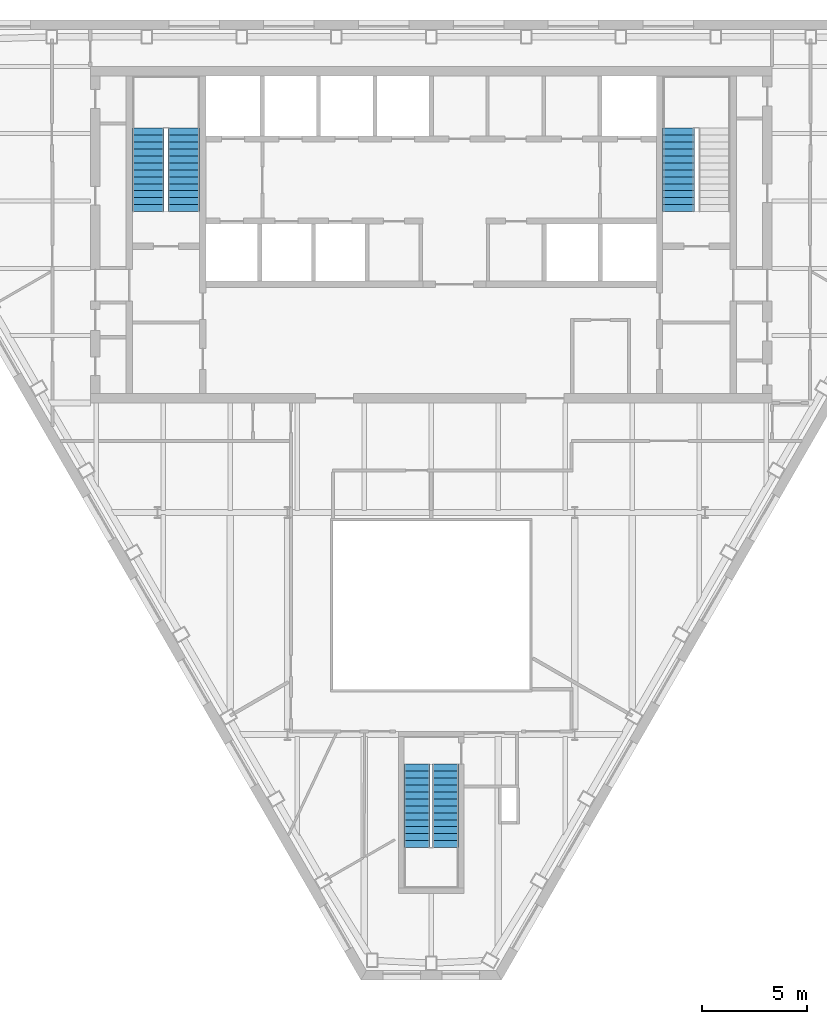
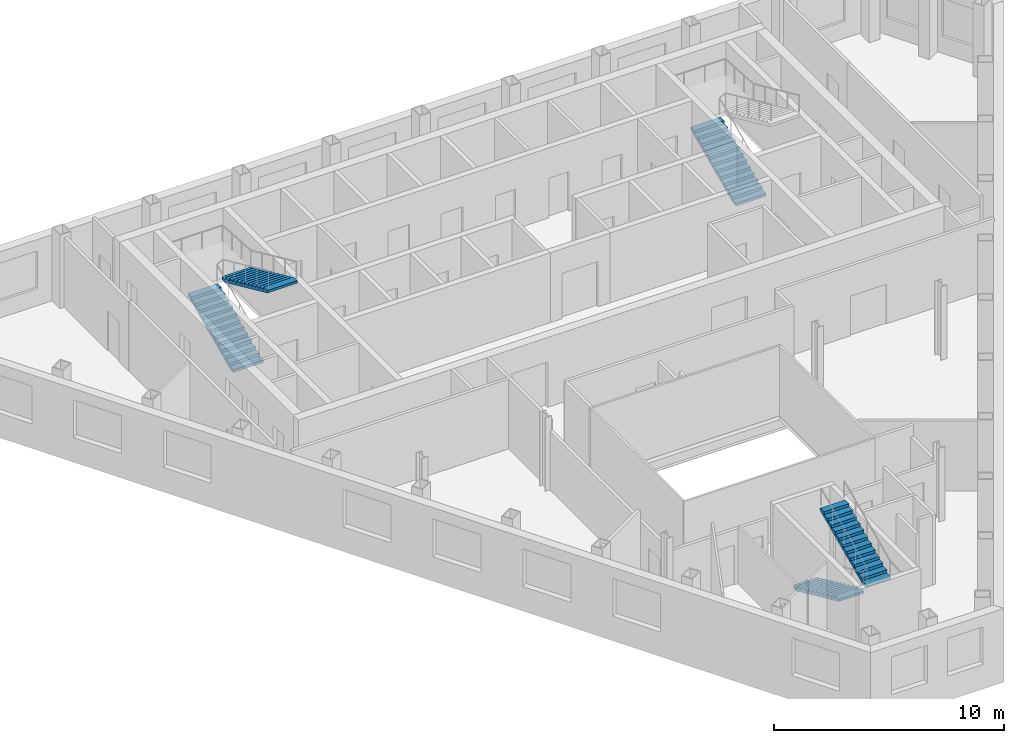
# One storey, part 8 of 10: 5 stair flights, 3 elements without a shape of their own.
"""IFC4 building model written with IfcOpenShell, lengths in metres."""

from ifc_helpers import new_model, si_unit, direction, frame, origin, place, context, subcontext, project, spatial, polygons, material, type_object, element, aggregate, save


model = new_model("IFC4")

# Units and contexts
model_context = context("Model", 3, precision=1e-05, world=origin(), true_north=direction((0.0, 1.0)))
body_context = subcontext(model_context, "Body", "Model", "MODEL_VIEW")
ifc_project = project(units=[si_unit("LENGTHUNIT", "METRE"), si_unit("AREAUNIT", "SQUARE_METRE"), si_unit("VOLUMEUNIT", "CUBIC_METRE"), si_unit("PLANEANGLEUNIT", "RADIAN"), si_unit("MASSUNIT", "GRAM", prefix="KILO")], contexts=[model_context])

# Site, building, storey
site_placement = place(None, origin())
site = spatial("IfcSite", under=ifc_project, at=site_placement, CompositionType="ELEMENT")
building_placement = place(site_placement, origin())
building = spatial("IfcBuilding", under=site, at=building_placement, Name="Njiva Tower", CompositionType="ELEMENT")
storey_placement = place(building_placement, frame((0.0, 0.0, 231.6)))
storey = spatial("IfcBuildingStorey", under=building, at=storey_placement, Name="L52", CompositionType="ELEMENT", Elevation=231.6)

# Stair, stair flights
ifc_material = material(Name="Concrete C40/50", Category="concrete")
stair_type_1 = type_object("IfcStairType", Name="ST1 Exit stair 1250", PredefinedType="HALF_TURN_STAIR", material=ifc_material)
stair_1_placement = place(storey_placement, origin())
stair_1 = element("IfcStair", 1, at=stair_1_placement, inside=storey, type_object=stair_type_1, Name="Stair C", PredefinedType="HALF_TURN_STAIR")
stair_flight_type_1 = type_object("IfcStairFlightType", Name="FL1 Stair flight 1250", PredefinedType="STRAIGHT", material=ifc_material)
stair_flight_1_placement = place(storey_placement, frame((-0.675, -15.16, 0.0), z_axis=(0.0, 0.0, 1.0), x_axis=(0.0, -1.0, 0.0)))
stair_flight_1 = element("IfcStairFlight", 2, at=stair_flight_1_placement, type_object=stair_flight_type_1, Name="ST-C flight 1", NumberOfRisers=13, NumberOfTreads=12, PredefinedType="STRAIGHT", RiserHeight=0.15, TreadLength=0.33, context=body_context, shape_type="Tessellation", body=[
    polygons([(0.0, 0.625, 0.0), (0.0, 0.3125, 0.0), (0.0, 0.0, 0.0), (0.0, -0.3125, 0.0), (0.0, -0.625, 0.0), (0.0, 0.625, 0.15), (0.0, 0.3125, 0.15), (0.0, 0.0, 0.15), (0.0, -0.3125, 0.15), (0.0, -0.625, 0.15), (0.33, 0.625, 0.15), (0.33, 0.3125, 0.15), (0.33, 0.0, 0.15), (0.33, -0.3125, 0.15), (0.33, -0.625, 0.15), (0.33, 0.625, 0.3), (0.33, 0.3125, 0.3), (0.33, 0.0, 0.3), (0.33, -0.3125, 0.3), (0.33, -0.625, 0.3), (0.66, 0.625, 0.3), (0.66, 0.3125, 0.3), (0.66, 0.0, 0.3), (0.66, -0.3125, 0.3), (0.66, -0.625, 0.3), (0.66, 0.625, 0.45), (0.66, 0.3125, 0.45), (0.66, 0.0, 0.45), (0.66, -0.3125, 0.45), (0.66, -0.625, 0.45), (0.99, 0.625, 0.45), (0.99, 0.3125, 0.45), (0.99, 0.0, 0.45), (0.99, -0.3125, 0.45), (0.99, -0.625, 0.45), (0.99, 0.625, 0.6), (0.99, 0.3125, 0.6), (0.99, 0.0, 0.6), (0.99, -0.3125, 0.6), (0.99, -0.625, 0.6), (1.32, 0.625, 0.6), (1.32, 0.3125, 0.6), (1.32, 0.0, 0.6), (1.32, -0.3125, 0.6), (1.32, -0.625, 0.6), (1.32, 0.625, 0.75), (1.32, 0.3125, 0.75), (1.32, 0.0, 0.75), (1.32, -0.3125, 0.75), (1.32, -0.625, 0.75), (1.65, 0.625, 0.75), (1.65, 0.3125, 0.75), (1.65, 0.0, 0.75), (1.65, -0.3125, 0.75), (1.65, -0.625, 0.75), (1.65, 0.625, 0.9), (1.65, 0.3125, 0.9), (1.65, 0.0, 0.9), (1.65, -0.3125, 0.9), (1.65, -0.625, 0.9), (1.98, 0.625, 0.9), (1.98, 0.3125, 0.9), (1.98, 0.0, 0.9), (1.98, -0.3125, 0.9), (1.98, -0.625, 0.9), (1.98, 0.625, 1.05), (1.98, 0.3125, 1.05), (1.98, 0.0, 1.05), (1.98, -0.3125, 1.05), (1.98, -0.625, 1.05), (2.31, 0.625, 1.05), (2.31, 0.3125, 1.05), (2.31, 0.0, 1.05), (2.31, -0.3125, 1.05), (2.31, -0.625, 1.05), (2.31, 0.625, 1.2), (2.31, 0.3125, 1.2), (2.31, 0.0, 1.2), (2.31, -0.3125, 1.2), (2.31, -0.625, 1.2), (2.64, 0.625, 1.2), (2.64, 0.3125, 1.2), (2.64, 0.0, 1.2), (2.64, -0.3125, 1.2), (2.64, -0.625, 1.2), (2.64, 0.625, 1.35), (2.64, 0.3125, 1.35), (2.64, 0.0, 1.35), (2.64, -0.3125, 1.35), (2.64, -0.625, 1.35), (2.97, 0.625, 1.35), (2.97, 0.3125, 1.35), (2.97, 0.0, 1.35), (2.97, -0.3125, 1.35), (2.97, -0.625, 1.35), (2.97, 0.625, 1.5), (2.97, 0.3125, 1.5), (2.97, 0.0, 1.5), (2.97, -0.3125, 1.5), (2.97, -0.625, 1.5), (3.3, 0.625, 1.5), (3.3, 0.3125, 1.5), (3.3, 0.0, 1.5), (3.3, -0.3125, 1.5), (3.3, -0.625, 1.5), (3.3, 0.625, 1.65), (3.3, 0.3125, 1.65), (3.3, 0.0, 1.65), (3.3, -0.3125, 1.65), (3.3, -0.625, 1.65), (3.63, 0.625, 1.65), (3.63, 0.3125, 1.65), (3.63, 0.0, 1.65), (3.63, -0.3125, 1.65), (3.63, -0.625, 1.65), (3.63, 0.625, 1.8), (3.63, 0.3125, 1.8), (3.63, 0.0, 1.8), (3.63, -0.3125, 1.8), (3.63, -0.625, 1.8), (3.96, 0.625, 1.8), (3.96, 0.3125, 1.8), (3.96, 0.0, 1.8), (3.96, -0.3125, 1.8), (3.96, -0.625, 1.8), (3.96, 0.625, 1.6682), (3.96, 0.3125, 1.6682), (3.96, 0.0, 1.6682), (3.96, -0.3125, 1.6682), (3.96, -0.625, 1.6682), (0.29, 0.625, 0.0), (0.29, 0.3125, 0.0), (0.29, 0.0, 0.0), (0.29, -0.3125, 0.0), (0.29, -0.625, 0.0)], [[[1, 6, 11, 16, 21, 26, 31, 36, 41, 46, 51, 56, 61, 66, 71, 76, 81, 86, 91, 96, 101, 106, 111, 116, 121, 126, 131]], [[135, 130, 125, 120, 115, 110, 105, 100, 95, 90, 85, 80, 75, 70, 65, 60, 55, 50, 45, 40, 35, 30, 25, 20, 15, 10, 5]], [[6, 1, 2, 7]], [[7, 2, 3, 8]], [[8, 3, 4, 9]], [[9, 4, 5, 10]], [[11, 6, 7, 12]], [[12, 7, 8, 13]], [[13, 8, 9, 14]], [[14, 9, 10, 15]], [[16, 11, 12, 17]], [[17, 12, 13, 18]], [[18, 13, 14, 19]], [[19, 14, 15, 20]], [[21, 16, 17, 22]], [[22, 17, 18, 23]], [[23, 18, 19, 24]], [[24, 19, 20, 25]], [[26, 21, 22, 27]], [[27, 22, 23, 28]], [[28, 23, 24, 29]], [[29, 24, 25, 30]], [[31, 26, 27, 32]], [[32, 27, 28, 33]], [[33, 28, 29, 34]], [[34, 29, 30, 35]], [[36, 31, 32, 37]], [[37, 32, 33, 38]], [[38, 33, 34, 39]], [[39, 34, 35, 40]], [[41, 36, 37, 42]], [[42, 37, 38, 43]], [[43, 38, 39, 44]], [[44, 39, 40, 45]], [[46, 41, 42, 47]], [[47, 42, 43, 48]], [[48, 43, 44, 49]], [[49, 44, 45, 50]], [[51, 46, 47, 52]], [[52, 47, 48, 53]], [[53, 48, 49, 54]], [[54, 49, 50, 55]], [[56, 51, 52, 57]], [[57, 52, 53, 58]], [[58, 53, 54, 59]], [[59, 54, 55, 60]], [[61, 56, 57, 62]], [[62, 57, 58, 63]], [[63, 58, 59, 64]], [[64, 59, 60, 65]], [[66, 61, 62, 67]], [[67, 62, 63, 68]], [[68, 63, 64, 69]], [[69, 64, 65, 70]], [[71, 66, 67, 72]], [[72, 67, 68, 73]], [[73, 68, 69, 74]], [[74, 69, 70, 75]], [[76, 71, 72, 77]], [[77, 72, 73, 78]], [[78, 73, 74, 79]], [[79, 74, 75, 80]], [[81, 76, 77, 82]], [[82, 77, 78, 83]], [[83, 78, 79, 84]], [[84, 79, 80, 85]], [[86, 81, 82, 87]], [[87, 82, 83, 88]], [[88, 83, 84, 89]], [[89, 84, 85, 90]], [[91, 86, 87, 92]], [[92, 87, 88, 93]], [[93, 88, 89, 94]], [[94, 89, 90, 95]], [[96, 91, 92, 97]], [[97, 92, 93, 98]], [[98, 93, 94, 99]], [[99, 94, 95, 100]], [[101, 96, 97, 102]], [[102, 97, 98, 103]], [[103, 98, 99, 104]], [[104, 99, 100, 105]], [[106, 101, 102, 107]], [[107, 102, 103, 108]], [[108, 103, 104, 109]], [[109, 104, 105, 110]], [[111, 106, 107, 112]], [[112, 107, 108, 113]], [[113, 108, 109, 114]], [[114, 109, 110, 115]], [[116, 111, 112, 117]], [[117, 112, 113, 118]], [[118, 113, 114, 119]], [[119, 114, 115, 120]], [[121, 116, 117, 122]], [[122, 117, 118, 123]], [[123, 118, 119, 124]], [[124, 119, 120, 125]], [[126, 121, 122, 127]], [[127, 122, 123, 128]], [[128, 123, 124, 129]], [[129, 124, 125, 130]], [[131, 126, 127, 132]], [[132, 127, 128, 133]], [[133, 128, 129, 134]], [[134, 129, 130, 135]], [[1, 131, 132, 2]], [[2, 132, 133, 3]], [[3, 133, 134, 4]], [[4, 134, 135, 5]]], closed=True),
])
stair_flight_2_placement = place(storey_placement, frame((0.675, -19.12, 1.95), z_axis=(0.0, 0.0, 1.0), x_axis=(0.0, 1.0, 0.0)))
stair_flight_2 = element("IfcStairFlight", 3, at=stair_flight_2_placement, type_object=stair_flight_type_1, Name="ST-C flight 2", NumberOfRisers=13, NumberOfTreads=12, PredefinedType="STRAIGHT", RiserHeight=0.15, TreadLength=0.33, context=body_context, shape_type="Tessellation", body=[
    polygons([(0.0, 0.625, 0.0), (0.0, 0.3125, 0.0), (0.0, 0.0, 0.0), (0.0, -0.3125, 0.0), (0.0, -0.625, 0.0), (0.0, 0.625, 0.15), (0.0, 0.3125, 0.15), (0.0, 0.0, 0.15), (0.0, -0.3125, 0.15), (0.0, -0.625, 0.15), (0.33, 0.625, 0.15), (0.33, 0.3125, 0.15), (0.33, 0.0, 0.15), (0.33, -0.3125, 0.15), (0.33, -0.625, 0.15), (0.33, 0.625, 0.3), (0.33, 0.3125, 0.3), (0.33, 0.0, 0.3), (0.33, -0.3125, 0.3), (0.33, -0.625, 0.3), (0.66, 0.625, 0.3), (0.66, 0.3125, 0.3), (0.66, 0.0, 0.3), (0.66, -0.3125, 0.3), (0.66, -0.625, 0.3), (0.66, 0.625, 0.45), (0.66, 0.3125, 0.45), (0.66, 0.0, 0.45), (0.66, -0.3125, 0.45), (0.66, -0.625, 0.45), (0.99, 0.625, 0.45), (0.99, 0.3125, 0.45), (0.99, 0.0, 0.45), (0.99, -0.3125, 0.45), (0.99, -0.625, 0.45), (0.99, 0.625, 0.6), (0.99, 0.3125, 0.6), (0.99, 0.0, 0.6), (0.99, -0.3125, 0.6), (0.99, -0.625, 0.6), (1.32, 0.625, 0.6), (1.32, 0.3125, 0.6), (1.32, 0.0, 0.6), (1.32, -0.3125, 0.6), (1.32, -0.625, 0.6), (1.32, 0.625, 0.75), (1.32, 0.3125, 0.75), (1.32, 0.0, 0.75), (1.32, -0.3125, 0.75), (1.32, -0.625, 0.75), (1.65, 0.625, 0.75), (1.65, 0.3125, 0.75), (1.65, 0.0, 0.75), (1.65, -0.3125, 0.75), (1.65, -0.625, 0.75), (1.65, 0.625, 0.9), (1.65, 0.3125, 0.9), (1.65, 0.0, 0.9), (1.65, -0.3125, 0.9), (1.65, -0.625, 0.9), (1.98, 0.625, 0.9), (1.98, 0.3125, 0.9), (1.98, 0.0, 0.9), (1.98, -0.3125, 0.9), (1.98, -0.625, 0.9), (1.98, 0.625, 1.05), (1.98, 0.3125, 1.05), (1.98, 0.0, 1.05), (1.98, -0.3125, 1.05), (1.98, -0.625, 1.05), (2.31, 0.625, 1.05), (2.31, 0.3125, 1.05), (2.31, 0.0, 1.05), (2.31, -0.3125, 1.05), (2.31, -0.625, 1.05), (2.31, 0.625, 1.2), (2.31, 0.3125, 1.2), (2.31, 0.0, 1.2), (2.31, -0.3125, 1.2), (2.31, -0.625, 1.2), (2.64, 0.625, 1.2), (2.64, 0.3125, 1.2), (2.64, 0.0, 1.2), (2.64, -0.3125, 1.2), (2.64, -0.625, 1.2), (2.64, 0.625, 1.35), (2.64, 0.3125, 1.35), (2.64, 0.0, 1.35), (2.64, -0.3125, 1.35), (2.64, -0.625, 1.35), (2.97, 0.625, 1.35), (2.97, 0.3125, 1.35), (2.97, 0.0, 1.35), (2.97, -0.3125, 1.35), (2.97, -0.625, 1.35), (2.97, 0.625, 1.5), (2.97, 0.3125, 1.5), (2.97, 0.0, 1.5), (2.97, -0.3125, 1.5), (2.97, -0.625, 1.5), (3.3, 0.625, 1.5), (3.3, 0.3125, 1.5), (3.3, 0.0, 1.5), (3.3, -0.3125, 1.5), (3.3, -0.625, 1.5), (3.3, 0.625, 1.65), (3.3, 0.3125, 1.65), (3.3, 0.0, 1.65), (3.3, -0.3125, 1.65), (3.3, -0.625, 1.65), (3.63, 0.625, 1.65), (3.63, 0.3125, 1.65), (3.63, 0.0, 1.65), (3.63, -0.3125, 1.65), (3.63, -0.625, 1.65), (3.63, 0.625, 1.8), (3.63, 0.3125, 1.8), (3.63, 0.0, 1.8), (3.63, -0.3125, 1.8), (3.63, -0.625, 1.8), (3.96, 0.625, 1.8), (3.96, 0.3125, 1.8), (3.96, 0.0, 1.8), (3.96, -0.3125, 1.8), (3.96, -0.625, 1.8), (3.96, 0.625, 1.6682), (3.96, 0.3125, 1.6682), (3.96, 0.0, 1.6682), (3.96, -0.3125, 1.6682), (3.96, -0.625, 1.6682), (0.29, 0.625, 0.0), (0.29, 0.3125, 0.0), (0.29, 0.0, 0.0), (0.29, -0.3125, 0.0), (0.29, -0.625, 0.0)], [[[1, 6, 11, 16, 21, 26, 31, 36, 41, 46, 51, 56, 61, 66, 71, 76, 81, 86, 91, 96, 101, 106, 111, 116, 121, 126, 131]], [[135, 130, 125, 120, 115, 110, 105, 100, 95, 90, 85, 80, 75, 70, 65, 60, 55, 50, 45, 40, 35, 30, 25, 20, 15, 10, 5]], [[6, 1, 2, 7]], [[7, 2, 3, 8]], [[8, 3, 4, 9]], [[9, 4, 5, 10]], [[11, 6, 7, 12]], [[12, 7, 8, 13]], [[13, 8, 9, 14]], [[14, 9, 10, 15]], [[16, 11, 12, 17]], [[17, 12, 13, 18]], [[18, 13, 14, 19]], [[19, 14, 15, 20]], [[21, 16, 17, 22]], [[22, 17, 18, 23]], [[23, 18, 19, 24]], [[24, 19, 20, 25]], [[26, 21, 22, 27]], [[27, 22, 23, 28]], [[28, 23, 24, 29]], [[29, 24, 25, 30]], [[31, 26, 27, 32]], [[32, 27, 28, 33]], [[33, 28, 29, 34]], [[34, 29, 30, 35]], [[36, 31, 32, 37]], [[37, 32, 33, 38]], [[38, 33, 34, 39]], [[39, 34, 35, 40]], [[41, 36, 37, 42]], [[42, 37, 38, 43]], [[43, 38, 39, 44]], [[44, 39, 40, 45]], [[46, 41, 42, 47]], [[47, 42, 43, 48]], [[48, 43, 44, 49]], [[49, 44, 45, 50]], [[51, 46, 47, 52]], [[52, 47, 48, 53]], [[53, 48, 49, 54]], [[54, 49, 50, 55]], [[56, 51, 52, 57]], [[57, 52, 53, 58]], [[58, 53, 54, 59]], [[59, 54, 55, 60]], [[61, 56, 57, 62]], [[62, 57, 58, 63]], [[63, 58, 59, 64]], [[64, 59, 60, 65]], [[66, 61, 62, 67]], [[67, 62, 63, 68]], [[68, 63, 64, 69]], [[69, 64, 65, 70]], [[71, 66, 67, 72]], [[72, 67, 68, 73]], [[73, 68, 69, 74]], [[74, 69, 70, 75]], [[76, 71, 72, 77]], [[77, 72, 73, 78]], [[78, 73, 74, 79]], [[79, 74, 75, 80]], [[81, 76, 77, 82]], [[82, 77, 78, 83]], [[83, 78, 79, 84]], [[84, 79, 80, 85]], [[86, 81, 82, 87]], [[87, 82, 83, 88]], [[88, 83, 84, 89]], [[89, 84, 85, 90]], [[91, 86, 87, 92]], [[92, 87, 88, 93]], [[93, 88, 89, 94]], [[94, 89, 90, 95]], [[96, 91, 92, 97]], [[97, 92, 93, 98]], [[98, 93, 94, 99]], [[99, 94, 95, 100]], [[101, 96, 97, 102]], [[102, 97, 98, 103]], [[103, 98, 99, 104]], [[104, 99, 100, 105]], [[106, 101, 102, 107]], [[107, 102, 103, 108]], [[108, 103, 104, 109]], [[109, 104, 105, 110]], [[111, 106, 107, 112]], [[112, 107, 108, 113]], [[113, 108, 109, 114]], [[114, 109, 110, 115]], [[116, 111, 112, 117]], [[117, 112, 113, 118]], [[118, 113, 114, 119]], [[119, 114, 115, 120]], [[121, 116, 117, 122]], [[122, 117, 118, 123]], [[123, 118, 119, 124]], [[124, 119, 120, 125]], [[126, 121, 122, 127]], [[127, 122, 123, 128]], [[128, 123, 124, 129]], [[129, 124, 125, 130]], [[131, 126, 127, 132]], [[132, 127, 128, 133]], [[133, 128, 129, 134]], [[134, 129, 130, 135]], [[1, 131, 132, 2]], [[2, 132, 133, 3]], [[3, 133, 134, 4]], [[4, 134, 135, 5]]], closed=True),
])
aggregate(stair_1, [stair_flight_1, stair_flight_2])

stair_type_2 = type_object("IfcStairType", Name="ST4 Exit stair 1500", PredefinedType="HALF_TURN_STAIR", material=ifc_material)
stair_2_placement = place(storey_placement, origin())
stair_2 = element("IfcStair", 4, at=stair_2_placement, inside=storey, type_object=stair_type_2, Name="Stair A", PredefinedType="HALF_TURN_STAIR")
stair_flight_type_2 = type_object("IfcStairFlightType", Name="FL4 Stair flight 1500", PredefinedType="STRAIGHT", material=ifc_material)
stair_flight_3_placement = place(storey_placement, frame((-13.45, 11.1, 0.0), z_axis=(0.0, 0.0, 1.0), x_axis=(0.0, 1.0, 0.0)))
stair_flight_3 = element("IfcStairFlight", 5, at=stair_flight_3_placement, type_object=stair_flight_type_2, Name="ST-A flight 1", NumberOfRisers=13, NumberOfTreads=12, PredefinedType="STRAIGHT", RiserHeight=0.15, TreadLength=0.33, context=body_context, shape_type="Tessellation", body=[
    polygons([(0.0, 0.75, 0.0), (0.0, 0.375, 0.0), (0.0, 0.0, 0.0), (0.0, -0.375, 0.0), (0.0, -0.75, 0.0), (0.0, 0.75, 0.15), (0.0, 0.375, 0.15), (0.0, 0.0, 0.15), (0.0, -0.375, 0.15), (0.0, -0.75, 0.15), (0.33, 0.75, 0.15), (0.33, 0.375, 0.15), (0.33, 0.0, 0.15), (0.33, -0.375, 0.15), (0.33, -0.75, 0.15), (0.33, 0.75, 0.3), (0.33, 0.375, 0.3), (0.33, 0.0, 0.3), (0.33, -0.375, 0.3), (0.33, -0.75, 0.3), (0.66, 0.75, 0.3), (0.66, 0.375, 0.3), (0.66, 0.0, 0.3), (0.66, -0.375, 0.3), (0.66, -0.75, 0.3), (0.66, 0.75, 0.45), (0.66, 0.375, 0.45), (0.66, 0.0, 0.45), (0.66, -0.375, 0.45), (0.66, -0.75, 0.45), (0.99, 0.75, 0.45), (0.99, 0.375, 0.45), (0.99, 0.0, 0.45), (0.99, -0.375, 0.45), (0.99, -0.75, 0.45), (0.99, 0.75, 0.6), (0.99, 0.375, 0.6), (0.99, 0.0, 0.6), (0.99, -0.375, 0.6), (0.99, -0.75, 0.6), (1.32, 0.75, 0.6), (1.32, 0.375, 0.6), (1.32, 0.0, 0.6), (1.32, -0.375, 0.6), (1.32, -0.75, 0.6), (1.32, 0.75, 0.75), (1.32, 0.375, 0.75), (1.32, 0.0, 0.75), (1.32, -0.375, 0.75), (1.32, -0.75, 0.75), (1.65, 0.75, 0.75), (1.65, 0.375, 0.75), (1.65, 0.0, 0.75), (1.65, -0.375, 0.75), (1.65, -0.75, 0.75), (1.65, 0.75, 0.9), (1.65, 0.375, 0.9), (1.65, 0.0, 0.9), (1.65, -0.375, 0.9), (1.65, -0.75, 0.9), (1.98, 0.75, 0.9), (1.98, 0.375, 0.9), (1.98, 0.0, 0.9), (1.98, -0.375, 0.9), (1.98, -0.75, 0.9), (1.98, 0.75, 1.05), (1.98, 0.375, 1.05), (1.98, 0.0, 1.05), (1.98, -0.375, 1.05), (1.98, -0.75, 1.05), (2.31, 0.75, 1.05), (2.31, 0.375, 1.05), (2.31, 0.0, 1.05), (2.31, -0.375, 1.05), (2.31, -0.75, 1.05), (2.31, 0.75, 1.2), (2.31, 0.375, 1.2), (2.31, 0.0, 1.2), (2.31, -0.375, 1.2), (2.31, -0.75, 1.2), (2.64, 0.75, 1.2), (2.64, 0.375, 1.2), (2.64, 0.0, 1.2), (2.64, -0.375, 1.2), (2.64, -0.75, 1.2), (2.64, 0.75, 1.35), (2.64, 0.375, 1.35), (2.64, 0.0, 1.35), (2.64, -0.375, 1.35), (2.64, -0.75, 1.35), (2.97, 0.75, 1.35), (2.97, 0.375, 1.35), (2.97, 0.0, 1.35), (2.97, -0.375, 1.35), (2.97, -0.75, 1.35), (2.97, 0.75, 1.5), (2.97, 0.375, 1.5), (2.97, 0.0, 1.5), (2.97, -0.375, 1.5), (2.97, -0.75, 1.5), (3.3, 0.75, 1.5), (3.3, 0.375, 1.5), (3.3, 0.0, 1.5), (3.3, -0.375, 1.5), (3.3, -0.75, 1.5), (3.3, 0.75, 1.65), (3.3, 0.375, 1.65), (3.3, 0.0, 1.65), (3.3, -0.375, 1.65), (3.3, -0.75, 1.65), (3.63, 0.75, 1.65), (3.63, 0.375, 1.65), (3.63, 0.0, 1.65), (3.63, -0.375, 1.65), (3.63, -0.75, 1.65), (3.63, 0.75, 1.8), (3.63, 0.375, 1.8), (3.63, 0.0, 1.8), (3.63, -0.375, 1.8), (3.63, -0.75, 1.8), (3.96, 0.75, 1.8), (3.96, 0.375, 1.8), (3.96, 0.0, 1.8), (3.96, -0.375, 1.8), (3.96, -0.75, 1.8), (3.96, 0.75, 1.6682), (3.96, 0.375, 1.6682), (3.96, 0.0, 1.6682), (3.96, -0.375, 1.6682), (3.96, -0.75, 1.6682), (0.29, 0.75, 0.0), (0.29, 0.375, 0.0), (0.29, 0.0, 0.0), (0.29, -0.375, 0.0), (0.29, -0.75, 0.0)], [[[1, 6, 11, 16, 21, 26, 31, 36, 41, 46, 51, 56, 61, 66, 71, 76, 81, 86, 91, 96, 101, 106, 111, 116, 121, 126, 131]], [[135, 130, 125, 120, 115, 110, 105, 100, 95, 90, 85, 80, 75, 70, 65, 60, 55, 50, 45, 40, 35, 30, 25, 20, 15, 10, 5]], [[6, 1, 2, 7]], [[7, 2, 3, 8]], [[8, 3, 4, 9]], [[9, 4, 5, 10]], [[11, 6, 7, 12]], [[12, 7, 8, 13]], [[13, 8, 9, 14]], [[14, 9, 10, 15]], [[16, 11, 12, 17]], [[17, 12, 13, 18]], [[18, 13, 14, 19]], [[19, 14, 15, 20]], [[21, 16, 17, 22]], [[22, 17, 18, 23]], [[23, 18, 19, 24]], [[24, 19, 20, 25]], [[26, 21, 22, 27]], [[27, 22, 23, 28]], [[28, 23, 24, 29]], [[29, 24, 25, 30]], [[31, 26, 27, 32]], [[32, 27, 28, 33]], [[33, 28, 29, 34]], [[34, 29, 30, 35]], [[36, 31, 32, 37]], [[37, 32, 33, 38]], [[38, 33, 34, 39]], [[39, 34, 35, 40]], [[41, 36, 37, 42]], [[42, 37, 38, 43]], [[43, 38, 39, 44]], [[44, 39, 40, 45]], [[46, 41, 42, 47]], [[47, 42, 43, 48]], [[48, 43, 44, 49]], [[49, 44, 45, 50]], [[51, 46, 47, 52]], [[52, 47, 48, 53]], [[53, 48, 49, 54]], [[54, 49, 50, 55]], [[56, 51, 52, 57]], [[57, 52, 53, 58]], [[58, 53, 54, 59]], [[59, 54, 55, 60]], [[61, 56, 57, 62]], [[62, 57, 58, 63]], [[63, 58, 59, 64]], [[64, 59, 60, 65]], [[66, 61, 62, 67]], [[67, 62, 63, 68]], [[68, 63, 64, 69]], [[69, 64, 65, 70]], [[71, 66, 67, 72]], [[72, 67, 68, 73]], [[73, 68, 69, 74]], [[74, 69, 70, 75]], [[76, 71, 72, 77]], [[77, 72, 73, 78]], [[78, 73, 74, 79]], [[79, 74, 75, 80]], [[81, 76, 77, 82]], [[82, 77, 78, 83]], [[83, 78, 79, 84]], [[84, 79, 80, 85]], [[86, 81, 82, 87]], [[87, 82, 83, 88]], [[88, 83, 84, 89]], [[89, 84, 85, 90]], [[91, 86, 87, 92]], [[92, 87, 88, 93]], [[93, 88, 89, 94]], [[94, 89, 90, 95]], [[96, 91, 92, 97]], [[97, 92, 93, 98]], [[98, 93, 94, 99]], [[99, 94, 95, 100]], [[101, 96, 97, 102]], [[102, 97, 98, 103]], [[103, 98, 99, 104]], [[104, 99, 100, 105]], [[106, 101, 102, 107]], [[107, 102, 103, 108]], [[108, 103, 104, 109]], [[109, 104, 105, 110]], [[111, 106, 107, 112]], [[112, 107, 108, 113]], [[113, 108, 109, 114]], [[114, 109, 110, 115]], [[116, 111, 112, 117]], [[117, 112, 113, 118]], [[118, 113, 114, 119]], [[119, 114, 115, 120]], [[121, 116, 117, 122]], [[122, 117, 118, 123]], [[123, 118, 119, 124]], [[124, 119, 120, 125]], [[126, 121, 122, 127]], [[127, 122, 123, 128]], [[128, 123, 124, 129]], [[129, 124, 125, 130]], [[131, 126, 127, 132]], [[132, 127, 128, 133]], [[133, 128, 129, 134]], [[134, 129, 130, 135]], [[1, 131, 132, 2]], [[2, 132, 133, 3]], [[3, 133, 134, 4]], [[4, 134, 135, 5]]], closed=True),
])
stair_flight_4_placement = place(storey_placement, frame((-11.75, 15.06, 1.95), z_axis=(0.0, 0.0, 1.0), x_axis=(0.0, -1.0, 0.0)))
stair_flight_4 = element("IfcStairFlight", 6, at=stair_flight_4_placement, type_object=stair_flight_type_2, Name="ST-A flight 2", NumberOfRisers=13, NumberOfTreads=12, PredefinedType="STRAIGHT", RiserHeight=0.15, TreadLength=0.33, context=body_context, shape_type="Tessellation", body=[
    polygons([(0.0, 0.75, 0.0), (0.0, 0.375, 0.0), (0.0, 0.0, 0.0), (0.0, -0.375, 0.0), (0.0, -0.75, 0.0), (0.0, 0.75, 0.15), (0.0, 0.375, 0.15), (0.0, 0.0, 0.15), (0.0, -0.375, 0.15), (0.0, -0.75, 0.15), (0.33, 0.75, 0.15), (0.33, 0.375, 0.15), (0.33, 0.0, 0.15), (0.33, -0.375, 0.15), (0.33, -0.75, 0.15), (0.33, 0.75, 0.3), (0.33, 0.375, 0.3), (0.33, 0.0, 0.3), (0.33, -0.375, 0.3), (0.33, -0.75, 0.3), (0.66, 0.75, 0.3), (0.66, 0.375, 0.3), (0.66, 0.0, 0.3), (0.66, -0.375, 0.3), (0.66, -0.75, 0.3), (0.66, 0.75, 0.45), (0.66, 0.375, 0.45), (0.66, 0.0, 0.45), (0.66, -0.375, 0.45), (0.66, -0.75, 0.45), (0.99, 0.75, 0.45), (0.99, 0.375, 0.45), (0.99, 0.0, 0.45), (0.99, -0.375, 0.45), (0.99, -0.75, 0.45), (0.99, 0.75, 0.6), (0.99, 0.375, 0.6), (0.99, 0.0, 0.6), (0.99, -0.375, 0.6), (0.99, -0.75, 0.6), (1.32, 0.75, 0.6), (1.32, 0.375, 0.6), (1.32, 0.0, 0.6), (1.32, -0.375, 0.6), (1.32, -0.75, 0.6), (1.32, 0.75, 0.75), (1.32, 0.375, 0.75), (1.32, 0.0, 0.75), (1.32, -0.375, 0.75), (1.32, -0.75, 0.75), (1.65, 0.75, 0.75), (1.65, 0.375, 0.75), (1.65, 0.0, 0.75), (1.65, -0.375, 0.75), (1.65, -0.75, 0.75), (1.65, 0.75, 0.9), (1.65, 0.375, 0.9), (1.65, 0.0, 0.9), (1.65, -0.375, 0.9), (1.65, -0.75, 0.9), (1.98, 0.75, 0.9), (1.98, 0.375, 0.9), (1.98, 0.0, 0.9), (1.98, -0.375, 0.9), (1.98, -0.75, 0.9), (1.98, 0.75, 1.05), (1.98, 0.375, 1.05), (1.98, 0.0, 1.05), (1.98, -0.375, 1.05), (1.98, -0.75, 1.05), (2.31, 0.75, 1.05), (2.31, 0.375, 1.05), (2.31, 0.0, 1.05), (2.31, -0.375, 1.05), (2.31, -0.75, 1.05), (2.31, 0.75, 1.2), (2.31, 0.375, 1.2), (2.31, 0.0, 1.2), (2.31, -0.375, 1.2), (2.31, -0.75, 1.2), (2.64, 0.75, 1.2), (2.64, 0.375, 1.2), (2.64, 0.0, 1.2), (2.64, -0.375, 1.2), (2.64, -0.75, 1.2), (2.64, 0.75, 1.35), (2.64, 0.375, 1.35), (2.64, 0.0, 1.35), (2.64, -0.375, 1.35), (2.64, -0.75, 1.35), (2.97, 0.75, 1.35), (2.97, 0.375, 1.35), (2.97, 0.0, 1.35), (2.97, -0.375, 1.35), (2.97, -0.75, 1.35), (2.97, 0.75, 1.5), (2.97, 0.375, 1.5), (2.97, 0.0, 1.5), (2.97, -0.375, 1.5), (2.97, -0.75, 1.5), (3.3, 0.75, 1.5), (3.3, 0.375, 1.5), (3.3, 0.0, 1.5), (3.3, -0.375, 1.5), (3.3, -0.75, 1.5), (3.3, 0.75, 1.65), (3.3, 0.375, 1.65), (3.3, 0.0, 1.65), (3.3, -0.375, 1.65), (3.3, -0.75, 1.65), (3.63, 0.75, 1.65), (3.63, 0.375, 1.65), (3.63, 0.0, 1.65), (3.63, -0.375, 1.65), (3.63, -0.75, 1.65), (3.63, 0.75, 1.8), (3.63, 0.375, 1.8), (3.63, 0.0, 1.8), (3.63, -0.375, 1.8), (3.63, -0.75, 1.8), (3.96, 0.75, 1.8), (3.96, 0.375, 1.8), (3.96, 0.0, 1.8), (3.96, -0.375, 1.8), (3.96, -0.75, 1.8), (3.96, 0.75, 1.6682), (3.96, 0.375, 1.6682), (3.96, 0.0, 1.6682), (3.96, -0.375, 1.6682), (3.96, -0.75, 1.6682), (0.29, 0.75, 0.0), (0.29, 0.375, 0.0), (0.29, 0.0, 0.0), (0.29, -0.375, 0.0), (0.29, -0.75, 0.0)], [[[1, 6, 11, 16, 21, 26, 31, 36, 41, 46, 51, 56, 61, 66, 71, 76, 81, 86, 91, 96, 101, 106, 111, 116, 121, 126, 131]], [[135, 130, 125, 120, 115, 110, 105, 100, 95, 90, 85, 80, 75, 70, 65, 60, 55, 50, 45, 40, 35, 30, 25, 20, 15, 10, 5]], [[6, 1, 2, 7]], [[7, 2, 3, 8]], [[8, 3, 4, 9]], [[9, 4, 5, 10]], [[11, 6, 7, 12]], [[12, 7, 8, 13]], [[13, 8, 9, 14]], [[14, 9, 10, 15]], [[16, 11, 12, 17]], [[17, 12, 13, 18]], [[18, 13, 14, 19]], [[19, 14, 15, 20]], [[21, 16, 17, 22]], [[22, 17, 18, 23]], [[23, 18, 19, 24]], [[24, 19, 20, 25]], [[26, 21, 22, 27]], [[27, 22, 23, 28]], [[28, 23, 24, 29]], [[29, 24, 25, 30]], [[31, 26, 27, 32]], [[32, 27, 28, 33]], [[33, 28, 29, 34]], [[34, 29, 30, 35]], [[36, 31, 32, 37]], [[37, 32, 33, 38]], [[38, 33, 34, 39]], [[39, 34, 35, 40]], [[41, 36, 37, 42]], [[42, 37, 38, 43]], [[43, 38, 39, 44]], [[44, 39, 40, 45]], [[46, 41, 42, 47]], [[47, 42, 43, 48]], [[48, 43, 44, 49]], [[49, 44, 45, 50]], [[51, 46, 47, 52]], [[52, 47, 48, 53]], [[53, 48, 49, 54]], [[54, 49, 50, 55]], [[56, 51, 52, 57]], [[57, 52, 53, 58]], [[58, 53, 54, 59]], [[59, 54, 55, 60]], [[61, 56, 57, 62]], [[62, 57, 58, 63]], [[63, 58, 59, 64]], [[64, 59, 60, 65]], [[66, 61, 62, 67]], [[67, 62, 63, 68]], [[68, 63, 64, 69]], [[69, 64, 65, 70]], [[71, 66, 67, 72]], [[72, 67, 68, 73]], [[73, 68, 69, 74]], [[74, 69, 70, 75]], [[76, 71, 72, 77]], [[77, 72, 73, 78]], [[78, 73, 74, 79]], [[79, 74, 75, 80]], [[81, 76, 77, 82]], [[82, 77, 78, 83]], [[83, 78, 79, 84]], [[84, 79, 80, 85]], [[86, 81, 82, 87]], [[87, 82, 83, 88]], [[88, 83, 84, 89]], [[89, 84, 85, 90]], [[91, 86, 87, 92]], [[92, 87, 88, 93]], [[93, 88, 89, 94]], [[94, 89, 90, 95]], [[96, 91, 92, 97]], [[97, 92, 93, 98]], [[98, 93, 94, 99]], [[99, 94, 95, 100]], [[101, 96, 97, 102]], [[102, 97, 98, 103]], [[103, 98, 99, 104]], [[104, 99, 100, 105]], [[106, 101, 102, 107]], [[107, 102, 103, 108]], [[108, 103, 104, 109]], [[109, 104, 105, 110]], [[111, 106, 107, 112]], [[112, 107, 108, 113]], [[113, 108, 109, 114]], [[114, 109, 110, 115]], [[116, 111, 112, 117]], [[117, 112, 113, 118]], [[118, 113, 114, 119]], [[119, 114, 115, 120]], [[121, 116, 117, 122]], [[122, 117, 118, 123]], [[123, 118, 119, 124]], [[124, 119, 120, 125]], [[126, 121, 122, 127]], [[127, 122, 123, 128]], [[128, 123, 124, 129]], [[129, 124, 125, 130]], [[131, 126, 127, 132]], [[132, 127, 128, 133]], [[133, 128, 129, 134]], [[134, 129, 130, 135]], [[1, 131, 132, 2]], [[2, 132, 133, 3]], [[3, 133, 134, 4]], [[4, 134, 135, 5]]], closed=True),
])
aggregate(stair_2, [stair_flight_3, stair_flight_4])

# Stair, stair flight
stair_3_placement = place(storey_placement, origin())
stair_3 = element("IfcStair", 7, at=stair_3_placement, inside=storey, type_object=stair_type_2, Name="Stair B", PredefinedType="HALF_TURN_STAIR")
stair_flight_5_placement = place(storey_placement, frame((11.75, 11.1, 0.0), z_axis=(0.0, 0.0, 1.0), x_axis=(0.0, 1.0, 0.0)))
stair_flight_5 = element("IfcStairFlight", 8, at=stair_flight_5_placement, type_object=stair_flight_type_2, Name="ST-B flight 1", NumberOfRisers=13, NumberOfTreads=12, PredefinedType="STRAIGHT", RiserHeight=0.15, TreadLength=0.33, context=body_context, shape_type="Tessellation", body=[
    polygons([(0.0, 0.75, 0.0), (0.0, 0.375, 0.0), (0.0, 0.0, 0.0), (0.0, -0.375, 0.0), (0.0, -0.75, 0.0), (0.0, 0.75, 0.15), (0.0, 0.375, 0.15), (0.0, 0.0, 0.15), (0.0, -0.375, 0.15), (0.0, -0.75, 0.15), (0.33, 0.75, 0.15), (0.33, 0.375, 0.15), (0.33, 0.0, 0.15), (0.33, -0.375, 0.15), (0.33, -0.75, 0.15), (0.33, 0.75, 0.3), (0.33, 0.375, 0.3), (0.33, 0.0, 0.3), (0.33, -0.375, 0.3), (0.33, -0.75, 0.3), (0.66, 0.75, 0.3), (0.66, 0.375, 0.3), (0.66, 0.0, 0.3), (0.66, -0.375, 0.3), (0.66, -0.75, 0.3), (0.66, 0.75, 0.45), (0.66, 0.375, 0.45), (0.66, 0.0, 0.45), (0.66, -0.375, 0.45), (0.66, -0.75, 0.45), (0.99, 0.75, 0.45), (0.99, 0.375, 0.45), (0.99, 0.0, 0.45), (0.99, -0.375, 0.45), (0.99, -0.75, 0.45), (0.99, 0.75, 0.6), (0.99, 0.375, 0.6), (0.99, 0.0, 0.6), (0.99, -0.375, 0.6), (0.99, -0.75, 0.6), (1.32, 0.75, 0.6), (1.32, 0.375, 0.6), (1.32, 0.0, 0.6), (1.32, -0.375, 0.6), (1.32, -0.75, 0.6), (1.32, 0.75, 0.75), (1.32, 0.375, 0.75), (1.32, 0.0, 0.75), (1.32, -0.375, 0.75), (1.32, -0.75, 0.75), (1.65, 0.75, 0.75), (1.65, 0.375, 0.75), (1.65, 0.0, 0.75), (1.65, -0.375, 0.75), (1.65, -0.75, 0.75), (1.65, 0.75, 0.9), (1.65, 0.375, 0.9), (1.65, 0.0, 0.9), (1.65, -0.375, 0.9), (1.65, -0.75, 0.9), (1.98, 0.75, 0.9), (1.98, 0.375, 0.9), (1.98, 0.0, 0.9), (1.98, -0.375, 0.9), (1.98, -0.75, 0.9), (1.98, 0.75, 1.05), (1.98, 0.375, 1.05), (1.98, 0.0, 1.05), (1.98, -0.375, 1.05), (1.98, -0.75, 1.05), (2.31, 0.75, 1.05), (2.31, 0.375, 1.05), (2.31, 0.0, 1.05), (2.31, -0.375, 1.05), (2.31, -0.75, 1.05), (2.31, 0.75, 1.2), (2.31, 0.375, 1.2), (2.31, 0.0, 1.2), (2.31, -0.375, 1.2), (2.31, -0.75, 1.2), (2.64, 0.75, 1.2), (2.64, 0.375, 1.2), (2.64, 0.0, 1.2), (2.64, -0.375, 1.2), (2.64, -0.75, 1.2), (2.64, 0.75, 1.35), (2.64, 0.375, 1.35), (2.64, 0.0, 1.35), (2.64, -0.375, 1.35), (2.64, -0.75, 1.35), (2.97, 0.75, 1.35), (2.97, 0.375, 1.35), (2.97, 0.0, 1.35), (2.97, -0.375, 1.35), (2.97, -0.75, 1.35), (2.97, 0.75, 1.5), (2.97, 0.375, 1.5), (2.97, 0.0, 1.5), (2.97, -0.375, 1.5), (2.97, -0.75, 1.5), (3.3, 0.75, 1.5), (3.3, 0.375, 1.5), (3.3, 0.0, 1.5), (3.3, -0.375, 1.5), (3.3, -0.75, 1.5), (3.3, 0.75, 1.65), (3.3, 0.375, 1.65), (3.3, 0.0, 1.65), (3.3, -0.375, 1.65), (3.3, -0.75, 1.65), (3.63, 0.75, 1.65), (3.63, 0.375, 1.65), (3.63, 0.0, 1.65), (3.63, -0.375, 1.65), (3.63, -0.75, 1.65), (3.63, 0.75, 1.8), (3.63, 0.375, 1.8), (3.63, 0.0, 1.8), (3.63, -0.375, 1.8), (3.63, -0.75, 1.8), (3.96, 0.75, 1.8), (3.96, 0.375, 1.8), (3.96, 0.0, 1.8), (3.96, -0.375, 1.8), (3.96, -0.75, 1.8), (3.96, 0.75, 1.6682), (3.96, 0.375, 1.6682), (3.96, 0.0, 1.6682), (3.96, -0.375, 1.6682), (3.96, -0.75, 1.6682), (0.29, 0.75, 0.0), (0.29, 0.375, 0.0), (0.29, 0.0, 0.0), (0.29, -0.375, 0.0), (0.29, -0.75, 0.0)], [[[1, 6, 11, 16, 21, 26, 31, 36, 41, 46, 51, 56, 61, 66, 71, 76, 81, 86, 91, 96, 101, 106, 111, 116, 121, 126, 131]], [[135, 130, 125, 120, 115, 110, 105, 100, 95, 90, 85, 80, 75, 70, 65, 60, 55, 50, 45, 40, 35, 30, 25, 20, 15, 10, 5]], [[6, 1, 2, 7]], [[7, 2, 3, 8]], [[8, 3, 4, 9]], [[9, 4, 5, 10]], [[11, 6, 7, 12]], [[12, 7, 8, 13]], [[13, 8, 9, 14]], [[14, 9, 10, 15]], [[16, 11, 12, 17]], [[17, 12, 13, 18]], [[18, 13, 14, 19]], [[19, 14, 15, 20]], [[21, 16, 17, 22]], [[22, 17, 18, 23]], [[23, 18, 19, 24]], [[24, 19, 20, 25]], [[26, 21, 22, 27]], [[27, 22, 23, 28]], [[28, 23, 24, 29]], [[29, 24, 25, 30]], [[31, 26, 27, 32]], [[32, 27, 28, 33]], [[33, 28, 29, 34]], [[34, 29, 30, 35]], [[36, 31, 32, 37]], [[37, 32, 33, 38]], [[38, 33, 34, 39]], [[39, 34, 35, 40]], [[41, 36, 37, 42]], [[42, 37, 38, 43]], [[43, 38, 39, 44]], [[44, 39, 40, 45]], [[46, 41, 42, 47]], [[47, 42, 43, 48]], [[48, 43, 44, 49]], [[49, 44, 45, 50]], [[51, 46, 47, 52]], [[52, 47, 48, 53]], [[53, 48, 49, 54]], [[54, 49, 50, 55]], [[56, 51, 52, 57]], [[57, 52, 53, 58]], [[58, 53, 54, 59]], [[59, 54, 55, 60]], [[61, 56, 57, 62]], [[62, 57, 58, 63]], [[63, 58, 59, 64]], [[64, 59, 60, 65]], [[66, 61, 62, 67]], [[67, 62, 63, 68]], [[68, 63, 64, 69]], [[69, 64, 65, 70]], [[71, 66, 67, 72]], [[72, 67, 68, 73]], [[73, 68, 69, 74]], [[74, 69, 70, 75]], [[76, 71, 72, 77]], [[77, 72, 73, 78]], [[78, 73, 74, 79]], [[79, 74, 75, 80]], [[81, 76, 77, 82]], [[82, 77, 78, 83]], [[83, 78, 79, 84]], [[84, 79, 80, 85]], [[86, 81, 82, 87]], [[87, 82, 83, 88]], [[88, 83, 84, 89]], [[89, 84, 85, 90]], [[91, 86, 87, 92]], [[92, 87, 88, 93]], [[93, 88, 89, 94]], [[94, 89, 90, 95]], [[96, 91, 92, 97]], [[97, 92, 93, 98]], [[98, 93, 94, 99]], [[99, 94, 95, 100]], [[101, 96, 97, 102]], [[102, 97, 98, 103]], [[103, 98, 99, 104]], [[104, 99, 100, 105]], [[106, 101, 102, 107]], [[107, 102, 103, 108]], [[108, 103, 104, 109]], [[109, 104, 105, 110]], [[111, 106, 107, 112]], [[112, 107, 108, 113]], [[113, 108, 109, 114]], [[114, 109, 110, 115]], [[116, 111, 112, 117]], [[117, 112, 113, 118]], [[118, 113, 114, 119]], [[119, 114, 115, 120]], [[121, 116, 117, 122]], [[122, 117, 118, 123]], [[123, 118, 119, 124]], [[124, 119, 120, 125]], [[126, 121, 122, 127]], [[127, 122, 123, 128]], [[128, 123, 124, 129]], [[129, 124, 125, 130]], [[131, 126, 127, 132]], [[132, 127, 128, 133]], [[133, 128, 129, 134]], [[134, 129, 130, 135]], [[1, 131, 132, 2]], [[2, 132, 133, 3]], [[3, 133, 134, 4]], [[4, 134, 135, 5]]], closed=True),
])
aggregate(stair_3, [stair_flight_5])

save(model, "model.ifc")
